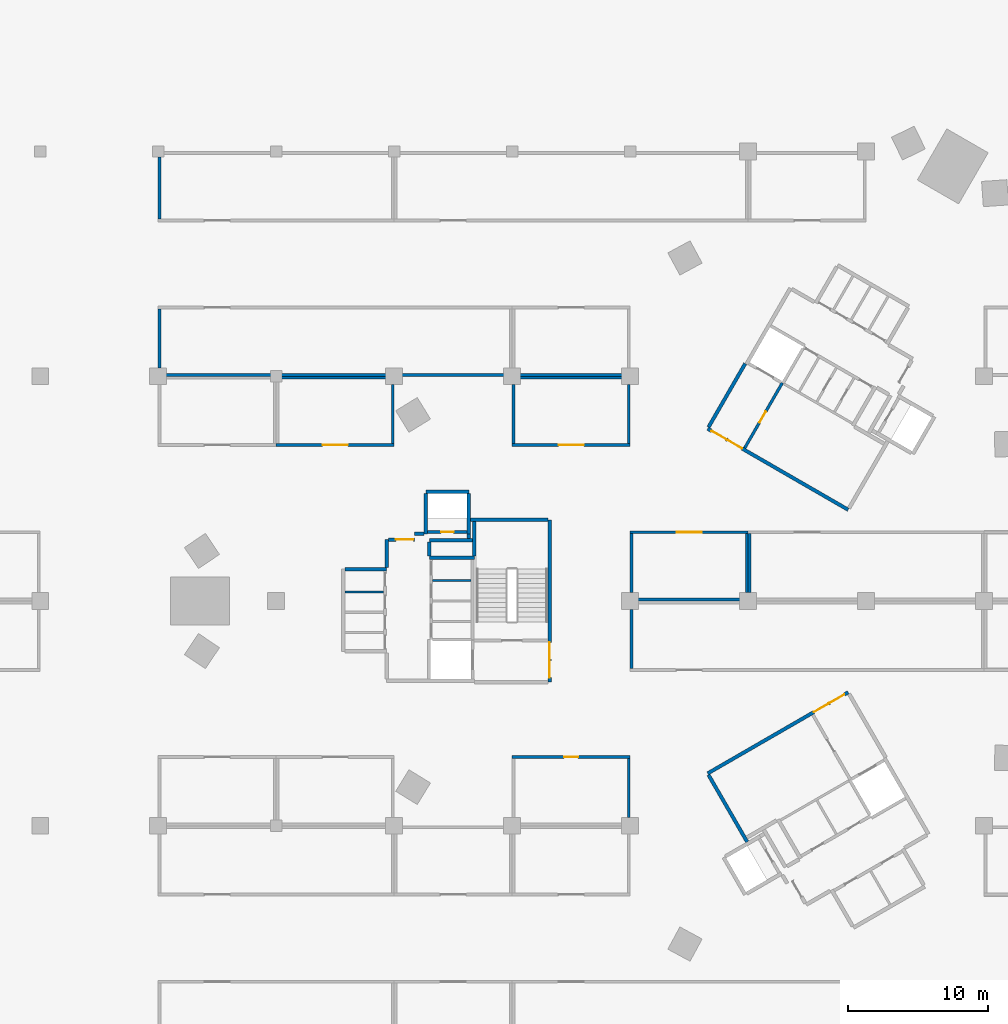
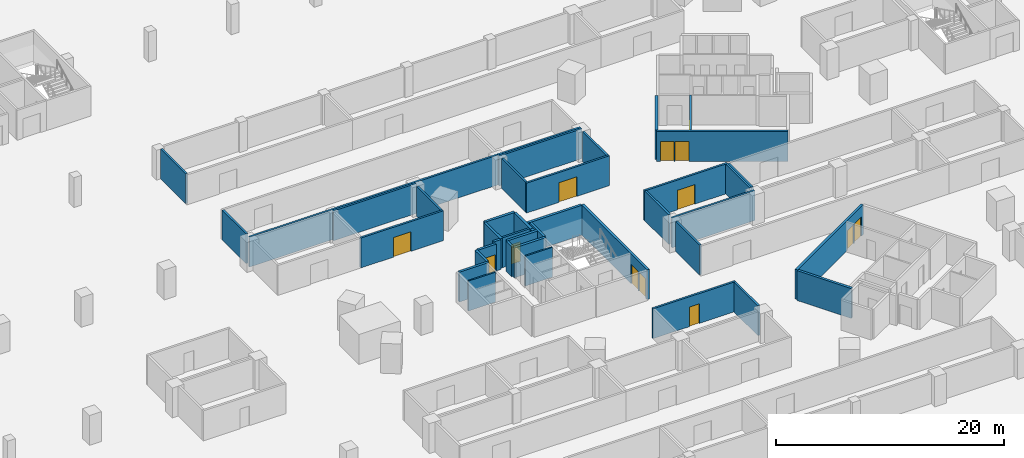
# One storey, part 10 of 37: 41 walls, 13 doors, 13 openings.
"""IFC4 building model written with IfcOpenShell, lengths in metres."""

from ifc_helpers import new_model, si_unit, direction, frame, frame_2d, origin, place, context, subcontext, project, spatial, rectangle, extrude, material, layer, layer_set, type_object, element, fill, save


model = new_model("IFC4")

# Units and contexts
model_context = context("Model", 3, precision=1e-05, world=origin(), true_north=direction((0.0, 1.0)))
body_context = subcontext(model_context, "Body", "Model", "MODEL_VIEW")
ifc_project = project(units=[si_unit("LENGTHUNIT", "METRE"), si_unit("AREAUNIT", "SQUARE_METRE"), si_unit("VOLUMEUNIT", "CUBIC_METRE"), si_unit("PLANEANGLEUNIT", "RADIAN"), si_unit("MASSUNIT", "GRAM", prefix="KILO")], contexts=[model_context])

# Site, building, storey
site_placement = place(None, origin())
site = spatial("IfcSite", under=ifc_project, at=site_placement, CompositionType="ELEMENT")
building_placement = place(site_placement, origin())
building = spatial("IfcBuilding", under=site, at=building_placement, Name="Tamra Quay Hotel Tower", CompositionType="ELEMENT")
storey_placement = place(building_placement, frame((0.0, 0.0, -7.199951171875)))
storey = spatial("IfcBuildingStorey", under=building, at=storey_placement, Name="B2", CompositionType="ELEMENT", Elevation=-7.199951171875)

# Wall, opening, door
ifc_material_1 = material(Name="Blockwork", Category="masonry")
ifc_layer_1 = layer(ifc_material_1, 0.199951171875)
ifc_layer_set_1 = layer_set([ifc_layer_1], Name="Car park room wall 200")
wall_type_1 = type_object("IfcWallType", Name="Car park room wall 200", PredefinedType="PARTITIONING", material=ifc_layer_set_1)
wall_1_placement = place(storey_placement, frame((-13.5, -11.10009765625, 0.0), z_axis=(0.0, 0.0, 1.0), x_axis=(1.0, 0.0, 0.0)))
wall_1 = element("IfcWall", 1, at=wall_1_placement, inside=storey, type_object=wall_type_1, Name="PW", PredefinedType="PARTITIONING", context=body_context, shape_type="SweptSolid", body=[
    extrude(rectangle(XDim=8.39990234375, YDim=0.199951171875, at=frame_2d((4.199951171875, 0.0))), origin(), (0.0, 0.0, 1.0), 3.199951171875),
])
opening_1_placement = place(wall_1_placement, frame((3.699951171875, 0.0, 0.0)))
opening_1 = element("IfcOpeningElement", 2, at=opening_1_placement, cuts=wall_1, Name="Opening PD1", PredefinedType="OPENING", context=body_context, shape_type="SweptSolid", body=[
    extrude(rectangle(XDim=1.0, YDim=2.10009765625, at=frame_2d((0.5, 1.050048828125))), frame((0.0, 0.10986328125, 0.0), z_axis=(0.0, -1.0, 0.0), x_axis=(1.0, 0.0, 0.0)), (0.0, 0.0, 1.0), 0.219970703125),
])
ifc_material_2 = material(Name="Car park door 1000 x 2100")
door_type_1 = type_object("IfcDoorType", Name="Car park door 1000 x 2100", OperationType="NOTDEFINED", PredefinedType="DOOR", material=ifc_material_2)
door_1_placement = place(opening_1_placement, origin())
door_1 = element("IfcDoor", 3, at=door_1_placement, inside=storey, type_object=door_type_1, Name="PD1", OperationType="SINGLE_SWING_LEFT", OverallHeight=2.10009765625, OverallWidth=1.0, PredefinedType="DOOR", context=body_context, shape_type="SweptSolid", body=[
    extrude(rectangle(XDim=1.0, YDim=2.10009765625, at=frame_2d((0.5, 1.050048828125))), frame((0.0, 0.02490234375, 0.0), z_axis=(0.0, -1.0, 0.0), x_axis=(1.0, 0.0, 0.0)), (0.0, 0.0, 1.0), 0.050048828125),
])
fill(opening_1, door_1)

# Walls
for number, where, z_axis, x_axis, name in (
    (4, (-5.199951171875, -15.39990234375, 0.0), (0.0, 0.0, 1.0), (0.0, 1.0, 0.0), "PW"),
    (5, (-5.0, -4.800048828125, 0.0), (0.0, 0.0, 1.0), (0.0, 1.0, 0.0), "PW"),
):
    element("IfcWall", number, at=place(storey_placement, frame(where, z_axis=z_axis, x_axis=x_axis)), inside=storey, type_object=wall_type_1, Name=name, PredefinedType="PARTITIONING", context=body_context, shape_type="SweptSolid", body=[
        extrude(rectangle(XDim=4.199951171875, YDim=0.199951171875, at=frame_2d((2.10009765625, 0.0))), origin(), (0.0, 0.0, 1.0), 3.199951171875),
    ])
wall_2_placement = place(storey_placement, frame((-5.10009765625, 0.10009765625, 0.0), z_axis=(0.0, 0.0, 1.0), x_axis=(1.0, 0.0, 0.0)))
element("IfcWall", 6, at=wall_2_placement, inside=storey, type_object=wall_type_1, Name="PW", PredefinedType="PARTITIONING", context=body_context, shape_type="SweptSolid", body=[
    extrude(rectangle(XDim=8.400146484375, YDim=0.199951171875, at=frame_2d((4.2001953125, 0.0))), origin(), (0.0, 0.0, 1.0), 3.199951171875),
])

# Wall, opening, door
wall_3_placement = place(storey_placement, frame((-5.10009765625, 4.89990234375, 0.0), z_axis=(0.0, 0.0, 1.0), x_axis=(1.0, 0.0, 0.0)))
wall_3 = element("IfcWall", 7, at=wall_3_placement, inside=storey, type_object=wall_type_1, Name="PW", PredefinedType="PARTITIONING", context=body_context, shape_type="SweptSolid", body=[
    extrude(rectangle(XDim=8.400146484375, YDim=0.199951171875, at=frame_2d((4.2001953125, 0.0))), origin(), (0.0, 0.0, 1.0), 3.199951171875),
])
opening_2_placement = place(wall_3_placement, frame((3.300048828125, 0.0, 0.0)))
opening_2 = element("IfcOpeningElement", 8, at=opening_2_placement, cuts=wall_3, Name="Opening PD2", PredefinedType="OPENING", context=body_context, shape_type="SweptSolid", body=[
    extrude(rectangle(XDim=1.800048828125, YDim=2.10009765625, at=frame_2d((0.89990234375, 1.050048828125))), frame((0.0, 0.10986328125, 0.0), z_axis=(0.0, -1.0, 0.0), x_axis=(1.0, 0.0, 0.0)), (0.0, 0.0, 1.0), 0.219970703125),
])
ifc_material_3 = material(Name="Plant door 1800 x 2100")
door_type_2 = type_object("IfcDoorType", Name="Plant door 1800 x 2100", OperationType="DOUBLE_DOOR_SINGLE_SWING", PredefinedType="DOOR", material=ifc_material_3)
door_2_placement = place(opening_2_placement, origin())
door_2 = element("IfcDoor", 9, at=door_2_placement, inside=storey, type_object=door_type_2, Name="PD2", OperationType="DOUBLE_DOOR_SINGLE_SWING", OverallHeight=2.10009765625, OverallWidth=1.800048828125, PredefinedType="DOOR", context=body_context, shape_type="SweptSolid", body=[
    extrude(rectangle(XDim=1.800048828125, YDim=2.10009765625, at=frame_2d((0.89990234375, 1.050048828125))), frame((0.0, 0.02490234375, 0.0), z_axis=(0.0, -1.0, 0.0), x_axis=(1.0, 0.0, 0.0)), (0.0, 0.0, 1.0), 0.050048828125),
])
fill(opening_2, door_2)

# Walls
for number, where, z_axis, x_axis, name in (
    (10, (-5.0, 0.60009765625, 0.0), (0.0, 0.0, 1.0), (0.0, 1.0, 0.0), "PW"),
    (11, (3.199951171875, 0.60009765625, 0.0), (0.0, 0.0, 1.0), (0.0, 1.0, 0.0), "PW"),
    (12, (3.39990234375, 0.60009765625, 0.0), (0.0, 0.0, 1.0), (0.0, 1.0, 0.0), "PW"),
):
    element("IfcWall", number, at=place(storey_placement, frame(where, z_axis=z_axis, x_axis=x_axis)), inside=storey, type_object=wall_type_1, Name=name, PredefinedType="PARTITIONING", context=body_context, shape_type="SweptSolid", body=[
        extrude(rectangle(XDim=4.199951171875, YDim=0.199951171875, at=frame_2d((2.10009765625, 0.0))), origin(), (0.0, 0.0, 1.0), 3.199951171875),
    ])

# Wall, opening, door
wall_4_placement = place(storey_placement, frame((-30.300048828125, 11.10009765625, 0.0), z_axis=(0.0, 0.0, 1.0), x_axis=(1.0, 0.0, 0.0)))
wall_4 = element("IfcWall", 13, at=wall_4_placement, inside=storey, type_object=wall_type_1, Name="PW", PredefinedType="PARTITIONING", context=body_context, shape_type="SweptSolid", body=[
    extrude(rectangle(XDim=8.400146484375, YDim=0.199951171875, at=frame_2d((4.2001953125, 0.0))), origin(), (0.0, 0.0, 1.0), 3.199951171875),
])
opening_3_placement = place(wall_4_placement, frame((3.300048828125, 0.0, 0.0)))
opening_3 = element("IfcOpeningElement", 14, at=opening_3_placement, cuts=wall_4, Name="Opening PD2", PredefinedType="OPENING", context=body_context, shape_type="SweptSolid", body=[
    extrude(rectangle(XDim=1.800048828125, YDim=2.10009765625, at=frame_2d((0.89990234375, 1.050048828125))), frame((0.0, 0.10986328125, 0.0), z_axis=(0.0, -1.0, 0.0), x_axis=(1.0, 0.0, 0.0)), (0.0, 0.0, 1.0), 0.219970703125),
])
door_3_placement = place(opening_3_placement, origin())
door_3 = element("IfcDoor", 15, at=door_3_placement, inside=storey, type_object=door_type_2, Name="PD2", OperationType="DOUBLE_DOOR_SINGLE_SWING", OverallHeight=2.10009765625, OverallWidth=1.800048828125, PredefinedType="DOOR", context=body_context, shape_type="SweptSolid", body=[
    extrude(rectangle(XDim=1.800048828125, YDim=2.10009765625, at=frame_2d((0.89990234375, 1.050048828125))), frame((0.0, 0.02490234375, 0.0), z_axis=(0.0, -1.0, 0.0), x_axis=(1.0, 0.0, 0.0)), (0.0, 0.0, 1.0), 0.050048828125),
])
fill(opening_3, door_3)

# Walls
wall_5_placement = place(storey_placement, frame((-30.300048828125, 15.89990234375, 0.0), z_axis=(0.0, 0.0, 1.0), x_axis=(1.0, 0.0, 0.0)))
element("IfcWall", 16, at=wall_5_placement, inside=storey, type_object=wall_type_1, Name="PW", PredefinedType="PARTITIONING", context=body_context, shape_type="SweptSolid", body=[
    extrude(rectangle(XDim=8.400146484375, YDim=0.199951171875, at=frame_2d((4.2001953125, 0.0))), origin(), (0.0, 0.0, 1.0), 3.199951171875),
])
wall_6_placement = place(storey_placement, frame((-22.0, 11.199951171875, 0.0), z_axis=(0.0, 0.0, 1.0), x_axis=(0.0, 1.0, 0.0)))
element("IfcWall", 17, at=wall_6_placement, inside=storey, type_object=wall_type_1, Name="PW", PredefinedType="PARTITIONING", context=body_context, shape_type="SweptSolid", body=[
    extrude(rectangle(XDim=4.199951171875, YDim=0.199951171875, at=frame_2d((2.10009765625, 0.0))), origin(), (0.0, 0.0, 1.0), 3.199951171875),
])

# Wall, opening, door
wall_7_placement = place(storey_placement, frame((-13.5, 11.10009765625, 0.0), z_axis=(0.0, 0.0, 1.0), x_axis=(1.0, 0.0, 0.0)))
wall_7 = element("IfcWall", 18, at=wall_7_placement, inside=storey, type_object=wall_type_1, Name="PW", PredefinedType="PARTITIONING", context=body_context, shape_type="SweptSolid", body=[
    extrude(rectangle(XDim=8.39990234375, YDim=0.199951171875, at=frame_2d((4.199951171875, 0.0))), origin(), (0.0, 0.0, 1.0), 3.199951171875),
])
opening_4_placement = place(wall_7_placement, frame((3.300048828125, 0.0, 0.0)))
opening_4 = element("IfcOpeningElement", 19, at=opening_4_placement, cuts=wall_7, Name="Opening PD2", PredefinedType="OPENING", context=body_context, shape_type="SweptSolid", body=[
    extrude(rectangle(XDim=1.800048828125, YDim=2.10009765625, at=frame_2d((0.89990234375, 1.050048828125))), frame((0.0, 0.10986328125, 0.0), z_axis=(0.0, -1.0, 0.0), x_axis=(1.0, 0.0, 0.0)), (0.0, 0.0, 1.0), 0.219970703125),
])
door_4_placement = place(opening_4_placement, origin())
door_4 = element("IfcDoor", 20, at=door_4_placement, inside=storey, type_object=door_type_2, Name="PD2", OperationType="DOUBLE_DOOR_SINGLE_SWING", OverallHeight=2.10009765625, OverallWidth=1.800048828125, PredefinedType="DOOR", context=body_context, shape_type="SweptSolid", body=[
    extrude(rectangle(XDim=1.800048828125, YDim=2.10009765625, at=frame_2d((0.89990234375, 1.050048828125))), frame((0.0, 0.02490234375, 0.0), z_axis=(0.0, -1.0, 0.0), x_axis=(1.0, 0.0, 0.0)), (0.0, 0.0, 1.0), 0.050048828125),
])
fill(opening_4, door_4)

# Walls
wall_8_placement = place(storey_placement, frame((-13.5, 15.89990234375, 0.0), z_axis=(0.0, 0.0, 1.0), x_axis=(1.0, 0.0, 0.0)))
element("IfcWall", 21, at=wall_8_placement, inside=storey, type_object=wall_type_1, Name="PW", PredefinedType="PARTITIONING", context=body_context, shape_type="SweptSolid", body=[
    extrude(rectangle(XDim=8.39990234375, YDim=0.199951171875, at=frame_2d((4.199951171875, 0.0))), origin(), (0.0, 0.0, 1.0), 3.199951171875),
])
for number, where, z_axis, x_axis, name in (
    (22, (-13.39990234375, 11.199951171875, 0.0), (0.0, 0.0, 1.0), (0.0, 1.0, 0.0), "PW"),
    (23, (-5.199951171875, 11.199951171875, 0.0), (0.0, 0.0, 1.0), (0.0, 1.0, 0.0), "PW"),
):
    element("IfcWall", number, at=place(storey_placement, frame(where, z_axis=z_axis, x_axis=x_axis)), inside=storey, type_object=wall_type_1, Name=name, PredefinedType="PARTITIONING", context=body_context, shape_type="SweptSolid", body=[
        extrude(rectangle(XDim=4.199951171875, YDim=0.199951171875, at=frame_2d((2.10009765625, 0.0))), origin(), (0.0, 0.0, 1.0), 3.199951171875),
    ])
wall_9_placement = place(storey_placement, frame((-38.699951171875, 16.10009765625, 0.0), z_axis=(0.0, 0.0, 1.0), x_axis=(1.0, 0.0, 0.0)))
element("IfcWall", 24, at=wall_9_placement, inside=storey, type_object=wall_type_1, Name="PW", PredefinedType="PARTITIONING", context=body_context, shape_type="SweptSolid", body=[
    extrude(rectangle(XDim=25.199951171875, YDim=0.199951171875, at=frame_2d((12.60009765625, 0.0))), origin(), (0.0, 0.0, 1.0), 3.199951171875),
])
wall_10_placement = place(storey_placement, frame((-38.60009765625, 16.60009765625, 0.0), z_axis=(0.0, 0.0, 1.0), x_axis=(0.0, 1.0, 0.0)))
element("IfcWall", 25, at=wall_10_placement, inside=storey, type_object=wall_type_1, Name="PW", PredefinedType="PARTITIONING", context=body_context, shape_type="SweptSolid", body=[
    extrude(rectangle(XDim=4.199951171875, YDim=0.199951171875, at=frame_2d((2.10009765625, 0.0))), origin(), (0.0, 0.0, 1.0), 3.199951171875),
])
wall_11_placement = place(storey_placement, frame((-13.5, 16.10009765625, 0.0), z_axis=(0.0, 0.0, 1.0), x_axis=(1.0, 0.0, 0.0)))
element("IfcWall", 26, at=wall_11_placement, inside=storey, type_object=wall_type_1, Name="PW", PredefinedType="PARTITIONING", context=body_context, shape_type="SweptSolid", body=[
    extrude(rectangle(XDim=8.39990234375, YDim=0.199951171875, at=frame_2d((4.199951171875, 0.0))), origin(), (0.0, 0.0, 1.0), 3.199951171875),
])
wall_12_placement = place(storey_placement, frame((-38.60009765625, 27.199951171875, 0.0), z_axis=(0.0, 0.0, 1.0), x_axis=(0.0, 1.0, 0.0)))
element("IfcWall", 27, at=wall_12_placement, inside=storey, type_object=wall_type_1, Name="PW", PredefinedType="PARTITIONING", context=body_context, shape_type="SweptSolid", body=[
    extrude(rectangle(XDim=4.400146484375, YDim=0.199951171875, at=frame_2d((2.2001953125, 0.0))), origin(), (0.0, 0.0, 1.0), 3.199951171875),
])

# Wall, opening, door
ifc_material_4 = material(Name="Concrete M70", Category="concrete")
ifc_layer_2 = layer(ifc_material_4, 0.199951171875)
ifc_layer_set_2 = layer_set([ifc_layer_2], Name="Concrete M70 core wall 200")
wall_type_2 = type_object("IfcWallType", Name="Concrete M70 core wall 200", PredefinedType="SHEAR", material=ifc_layer_set_2)
wall_13_placement = place(storey_placement, frame((-19.51123046875, 4.91015625, 0.0), z_axis=(0.0, 0.0, 1.0), x_axis=(1.0, 0.0, 0.0)))
wall_13 = element("IfcWall", 28, at=wall_13_placement, inside=storey, type_object=wall_type_2, Name="CW2", PredefinedType="SHEAR", context=body_context, shape_type="SweptSolid", body=[
    extrude(rectangle(XDim=2.7978515625, YDim=0.199951171875, at=frame_2d((1.39892578125, 0.0))), origin(), (0.0, 0.0, 1.0), 3.199951171875),
])
opening_5_placement = place(wall_13_placement, frame((0.948974609375, 0.0, 0.0)))
opening_5 = element("IfcOpeningElement", 29, at=opening_5_placement, cuts=wall_13, Name="Opening D1", PredefinedType="OPENING", context=body_context, shape_type="SweptSolid", body=[
    extrude(rectangle(XDim=0.89990234375, YDim=2.10009765625, at=frame_2d((0.449951171875, 1.050048828125))), frame((0.0, 0.10986328125, 0.0), z_axis=(0.0, -1.0, 0.0), x_axis=(1.0, 0.0, 0.0)), (0.0, 0.0, 1.0), 0.219970703125),
])
ifc_material_5 = material(Name="Core door D1 900x2100 LH")
door_type_3 = type_object("IfcDoorType", Name="Core door D1 900x2100 LH", OperationType="NOTDEFINED", PredefinedType="DOOR", material=ifc_material_5)
door_5_placement = place(opening_5_placement, origin())
door_5 = element("IfcDoor", 30, at=door_5_placement, inside=storey, type_object=door_type_3, Name="D1", OperationType="SINGLE_SWING_LEFT", OverallHeight=2.10009765625, OverallWidth=0.89990234375, PredefinedType="DOOR", context=body_context, shape_type="SweptSolid", body=[
    extrude(rectangle(XDim=0.89990234375, YDim=2.10009765625, at=frame_2d((0.449951171875, 1.050048828125))), frame((0.0, 0.02490234375, 0.0), z_axis=(0.0, -1.0, 0.0), x_axis=(1.0, 0.0, 0.0)), (0.0, 0.0, 1.0), 0.050048828125),
])
fill(opening_5, door_5)

wall_14_placement = place(storey_placement, frame((3.056640625, 10.89453125, 0.0), z_axis=(0.0, 0.0, 1.0), x_axis=(0.500012186204, 0.866018367962, 0.0)))
wall_14 = element("IfcWall", 31, at=wall_14_placement, inside=storey, type_object=wall_type_2, Name="CW2", PredefinedType="SHEAR", context=body_context, shape_type="SweptSolid", body=[
    extrude(rectangle(XDim=5.348876953125, YDim=0.199951171875, at=frame_2d((2.67431640625, 0.0))), origin(), (0.0, 0.0, 1.0), 3.199951171875),
])
opening_6_placement = place(wall_14_placement, frame((2.09912109375, 0.0, 0.0)))
opening_6 = element("IfcOpeningElement", 32, at=opening_6_placement, cuts=wall_14, Name="Opening D2", PredefinedType="OPENING", context=body_context, shape_type="SweptSolid", body=[
    extrude(rectangle(XDim=0.89990234375, YDim=2.10009765625, at=frame_2d((0.449951171875, 1.050048828125))), frame((0.0, 0.10986328125, 0.0), z_axis=(0.0, -1.0, 0.0), x_axis=(1.0, 0.0, 0.0)), (0.0, 0.0, 1.0), 0.219970703125),
])
ifc_material_6 = material(Name="Core door D2 900x2100 LH")
door_type_4 = type_object("IfcDoorType", Name="Core door D2 900x2100 LH", OperationType="NOTDEFINED", PredefinedType="DOOR", material=ifc_material_6)
door_6_placement = place(opening_6_placement, origin())
door_6 = element("IfcDoor", 33, at=door_6_placement, inside=storey, type_object=door_type_4, Name="D2", OperationType="SINGLE_SWING_LEFT", OverallHeight=2.10009765625, OverallWidth=0.89990234375, PredefinedType="DOOR", context=body_context, shape_type="SweptSolid", body=[
    extrude(rectangle(XDim=0.89990234375, YDim=2.10009765625, at=frame_2d((0.449951171875, 1.050048828125))), frame((0.0, 0.02490234375, 0.0), z_axis=(0.0, -1.0, 0.0), x_axis=(1.0, 0.0, 0.0)), (0.0, 0.0, 1.0), 0.050048828125),
])
fill(opening_6, door_6)

# Wall, openings, doors
ifc_layer_3 = layer(ifc_material_4, 0.25)
ifc_layer_set_3 = layer_set([ifc_layer_3], Name="Concrete M70 core wall 250")
wall_type_3 = type_object("IfcWallType", Name="Concrete M70 core wall 250", PredefinedType="SHEAR", material=ifc_layer_set_3)
wall_15_placement = place(storey_placement, frame((-10.83740234375, 5.77490234375, 0.0), z_axis=(0.0, 0.0, 1.0), x_axis=(0.0, -1.0, 0.0)))
wall_15 = element("IfcWall", 34, at=wall_15_placement, inside=storey, type_object=wall_type_3, Name="CW1", PredefinedType="SHEAR", context=body_context, shape_type="SweptSolid", body=[
    extrude(rectangle(XDim=11.5498046875, YDim=0.25, at=frame_2d((5.77490234375, 0.0))), origin(), (0.0, 0.0, 1.0), 3.199951171875),
])
opening_7_placement = place(wall_15_placement, frame((10.02490234375, 0.0, 0.0)))
opening_7 = element("IfcOpeningElement", 35, at=opening_7_placement, cuts=wall_15, Name="Opening FD1", PredefinedType="OPENING", context=body_context, shape_type="SweptSolid", body=[
    extrude(rectangle(XDim=1.199951171875, YDim=2.10009765625, at=frame_2d((0.60009765625, 1.050048828125))), frame((0.0, 0.135009765625, 0.0), z_axis=(0.0, -1.0, 0.0), x_axis=(1.0, 0.0, 0.0)), (0.0, 0.0, 1.0), 0.27001953125),
])
opening_8_placement = place(wall_15_placement, frame((8.72509765625, 0.0, 0.0)))
opening_8 = element("IfcOpeningElement", 36, at=opening_8_placement, cuts=wall_15, Name="Opening FD1", PredefinedType="OPENING", context=body_context, shape_type="SweptSolid", body=[
    extrude(rectangle(XDim=1.199951171875, YDim=2.10009765625, at=frame_2d((0.60009765625, 1.050048828125))), frame((0.0, 0.135009765625, 0.0), z_axis=(0.0, -1.0, 0.0), x_axis=(1.0, 0.0, 0.0)), (0.0, 0.0, 1.0), 0.27001953125),
])
ifc_material_7 = material(Name="Core door FD1 1200x2100 LH")
door_type_5 = type_object("IfcDoorType", Name="Core door FD1 1200x2100 LH", OperationType="NOTDEFINED", PredefinedType="DOOR", material=ifc_material_7)
door_7_placement = place(opening_7_placement, origin())
door_7 = element("IfcDoor", 37, at=door_7_placement, inside=storey, type_object=door_type_5, Name="FD1", OperationType="SINGLE_SWING_LEFT", OverallHeight=2.10009765625, OverallWidth=1.199951171875, PredefinedType="DOOR", context=body_context, shape_type="SweptSolid", body=[
    extrude(rectangle(XDim=1.199951171875, YDim=2.10009765625, at=frame_2d((0.60009765625, 1.050048828125))), frame((0.0, 0.02490234375, 0.0), z_axis=(0.0, -1.0, 0.0), x_axis=(1.0, 0.0, 0.0)), (0.0, 0.0, 1.0), 0.050048828125),
])
fill(opening_7, door_7)
ifc_material_8 = material(Name="Core door FD1 1200x2100 RH")
door_type_6 = type_object("IfcDoorType", Name="Core door FD1 1200x2100 RH", OperationType="NOTDEFINED", PredefinedType="DOOR", material=ifc_material_8)
door_8_placement = place(opening_8_placement, origin())
door_8 = element("IfcDoor", 38, at=door_8_placement, inside=storey, type_object=door_type_6, Name="FD1", OperationType="SINGLE_SWING_RIGHT", OverallHeight=2.10009765625, OverallWidth=1.199951171875, PredefinedType="DOOR", context=body_context, shape_type="SweptSolid", body=[
    extrude(rectangle(XDim=1.199951171875, YDim=2.10009765625, at=frame_2d((0.60009765625, 1.050048828125))), frame((0.0, 0.02490234375, 0.0), z_axis=(0.0, -1.0, 0.0), x_axis=(1.0, 0.0, 0.0)), (0.0, 0.0, 1.0), 0.050048828125),
])
fill(opening_8, door_8)

# Walls
wall_16_placement = place(storey_placement, frame((-16.47216796875, 5.77490234375, 0.0), z_axis=(0.0, 0.0, 1.0), x_axis=(1.0, 0.0, 0.0)))
element("IfcWall", 39, at=wall_16_placement, inside=storey, type_object=wall_type_3, Name="CW1", PredefinedType="SHEAR", context=body_context, shape_type="SweptSolid", body=[
    extrude(rectangle(XDim=5.509521484375, YDim=0.25, at=frame_2d((2.7548828125, 0.0))), origin(), (0.0, 0.0, 1.0), 3.199951171875),
])
wall_17_placement = place(storey_placement, frame((-19.38720703125, 3.074951171875, 0.0), z_axis=(0.0, 0.0, 1.0), x_axis=(1.0, 0.0, 0.0)))
element("IfcWall", 40, at=wall_17_placement, inside=storey, type_object=wall_type_3, Name="CW1", PredefinedType="SHEAR", context=body_context, shape_type="SweptSolid", body=[
    extrude(rectangle(XDim=3.199951171875, YDim=0.25, at=frame_2d((1.60009765625, 0.0))), origin(), (0.0, 0.0, 1.0), 3.199951171875),
])
wall_18_placement = place(storey_placement, frame((-25.411865234375, 2.27490234375, 0.0), z_axis=(0.0, 0.0, 1.0), x_axis=(1.0, 0.0, 0.0)))
element("IfcWall", 41, at=wall_18_placement, inside=storey, type_object=wall_type_3, Name="CW1", PredefinedType="SHEAR", context=body_context, shape_type="SweptSolid", body=[
    extrude(rectangle(XDim=2.974609375, YDim=0.25, at=frame_2d((1.4873046875, 0.0))), origin(), (0.0, 0.0, 1.0), 3.199951171875),
])
wall_19_placement = place(storey_placement, frame((-19.63720703125, 7.77490234375, 0.0), z_axis=(0.0, 0.0, 1.0), x_axis=(1.0, 0.0, 0.0)))
element("IfcWall", 42, at=wall_19_placement, inside=storey, type_object=wall_type_3, Name="CW1", PredefinedType="SHEAR", context=body_context, shape_type="SweptSolid", body=[
    extrude(rectangle(XDim=3.0498046875, YDim=0.25, at=frame_2d((1.52490234375, 0.0))), origin(), (0.0, 0.0, 1.0), 3.199951171875),
])
for number, where, z_axis, x_axis, name in (
    (43, (-16.58740234375, 7.649658203125, 0.0), (0.0, 0.0, 1.0), (0.0, -1.0, 0.0), "CW1"),
    (44, (-19.63720703125, 4.784912109375, 0.0), (0.0, 0.0, 1.0), (0.0, 1.0, 0.0), "CW1"),
):
    element("IfcWall", number, at=place(storey_placement, frame(where, z_axis=z_axis, x_axis=x_axis)), inside=storey, type_object=wall_type_3, Name=name, PredefinedType="SHEAR", context=body_context, shape_type="SweptSolid", body=[
        extrude(rectangle(XDim=2.86474609375, YDim=0.25, at=frame_2d((1.432373046875, 0.0))), origin(), (0.0, 0.0, 1.0), 3.199951171875),
    ])
wall_20_placement = place(storey_placement, frame((-16.30224609375, 4.31494140625, 0.0), z_axis=(0.0, 0.0, 1.0), x_axis=(-1.0, 0.0, 0.0)))
element("IfcWall", 45, at=wall_20_placement, inside=storey, type_object=wall_type_3, Name="CW1", PredefinedType="SHEAR", context=body_context, shape_type="SweptSolid", body=[
    extrude(rectangle(XDim=3.0849609375, YDim=0.25, at=frame_2d((1.54248046875, 0.0))), origin(), (0.0, 0.0, 1.0), 3.199951171875),
])
wall_21_placement = place(storey_placement, frame((-16.187255859375, 3.200439453125, 0.0), z_axis=(0.0, 0.0, 1.0), x_axis=(0.0, 1.0, 0.0)))
element("IfcWall", 46, at=wall_21_placement, inside=storey, type_object=wall_type_3, Name="CW1", PredefinedType="SHEAR", context=body_context, shape_type="SweptSolid", body=[
    extrude(rectangle(XDim=2.44921875, YDim=0.25, at=frame_2d((1.224609375, 0.0))), origin(), (0.0, 0.0, 1.0), 3.199951171875),
])
wall_22_placement = place(storey_placement, frame((-22.437255859375, 2.400390625, 0.0), z_axis=(0.0, 0.0, 1.0), x_axis=(0.0, 1.0, 0.0)))
element("IfcWall", 47, at=wall_22_placement, inside=storey, type_object=wall_type_3, Name="CW1", PredefinedType="SHEAR", context=body_context, shape_type="SweptSolid", body=[
    extrude(rectangle(XDim=1.974609375, YDim=0.25, at=frame_2d((0.9873046875, 0.0))), origin(), (0.0, 0.0, 1.0), 3.199951171875),
])

# Wall, opening, door
wall_23_placement = place(storey_placement, frame((-22.311767578125, 4.375, 0.0), z_axis=(0.0, 0.0, 1.0), x_axis=(1.0, 0.0, 0.0)))
wall_23 = element("IfcWall", 48, at=wall_23_placement, inside=storey, type_object=wall_type_3, Name="CW1", PredefinedType="SHEAR", context=body_context, shape_type="SweptSolid", body=[
    extrude(rectangle(XDim=1.864501953125, YDim=0.25, at=frame_2d((0.93212890625, 0.0))), origin(), (0.0, 0.0, 1.0), 3.199951171875),
])
opening_9_placement = place(wall_23_placement, frame((0.53466796875, 0.0, 0.0)))
opening_9 = element("IfcOpeningElement", 49, at=opening_9_placement, cuts=wall_23, Name="Opening FD3", PredefinedType="OPENING", context=body_context, shape_type="SweptSolid", body=[
    extrude(rectangle(XDim=1.25, YDim=2.10009765625, at=frame_2d((0.625, 1.050048828125))), frame((0.0, 0.135009765625, 0.0), z_axis=(0.0, -1.0, 0.0), x_axis=(1.0, 0.0, 0.0)), (0.0, 0.0, 1.0), 0.27001953125),
])
ifc_material_9 = material(Name="Core door FD3 1250x2100 LH")
door_type_7 = type_object("IfcDoorType", Name="Core door FD3 1250x2100 LH", OperationType="NOTDEFINED", PredefinedType="DOOR", material=ifc_material_9)
door_9_placement = place(opening_9_placement, origin())
door_9 = element("IfcDoor", 50, at=door_9_placement, inside=storey, type_object=door_type_7, Name="FD3", OperationType="SINGLE_SWING_LEFT", OverallHeight=2.10009765625, OverallWidth=1.25, PredefinedType="DOOR", context=body_context, shape_type="SweptSolid", body=[
    extrude(rectangle(XDim=1.25, YDim=2.10009765625, at=frame_2d((0.625, 1.050048828125))), frame((0.0, 0.02490234375, 0.0), z_axis=(0.0, -1.0, 0.0), x_axis=(1.0, 0.0, 0.0)), (0.0, 0.0, 1.0), 0.050048828125),
])
fill(opening_9, door_9)

# Walls
wall_24_placement = place(storey_placement, frame((-19.38720703125, 4.189697265625, 0.0), z_axis=(0.0, 0.0, 1.0), x_axis=(0.0, -1.0, 0.0)))
element("IfcWall", 51, at=wall_24_placement, inside=storey, type_object=wall_type_3, Name="CW1", PredefinedType="SHEAR", context=body_context, shape_type="SweptSolid", body=[
    extrude(rectangle(XDim=0.9892578125, YDim=0.25, at=frame_2d((0.49462890625, 0.0))), origin(), (0.0, 0.0, 1.0), 3.199951171875),
])
wall_25_placement = place(storey_placement, frame((-20.447265625, 4.784912109375, 0.0), z_axis=(0.0, 0.0, 1.0), x_axis=(1.0, 0.0, 0.0)))
element("IfcWall", 52, at=wall_25_placement, inside=storey, type_object=wall_type_3, Name="CW1", PredefinedType="SHEAR", context=body_context, shape_type="SweptSolid", body=[
    extrude(rectangle(XDim=0.6845703125, YDim=0.25, at=frame_2d((0.34228515625, 0.0))), origin(), (0.0, 0.0, 1.0), 3.199951171875),
])
wall_26_placement = place(storey_placement, frame((-16.577392578125, 4.784912109375, 0.0), z_axis=(0.0, 0.0, 1.0), x_axis=(0.0, -1.0, 0.0)))
element("IfcWall", 53, at=wall_26_placement, inside=storey, type_object=wall_type_3, Name="CW1", PredefinedType="SHEAR", context=body_context, shape_type="SweptSolid", body=[
    extrude(rectangle(XDim=0.344482421875, YDim=0.25, at=frame_2d((0.17236328125, 0.0))), origin(), (0.0, 0.0, 1.0), 3.199951171875),
])

# Wall, openings, doors
wall_27_placement = place(storey_placement, frame((10.419921875, 6.497802734375, 0.0), z_axis=(0.0, 0.0, 1.0), x_axis=(-0.866021906294, 0.500006057782, 0.0)))
wall_27 = element("IfcWall", 54, at=wall_27_placement, inside=storey, type_object=wall_type_3, Name="CW1", PredefinedType="SHEAR", context=body_context, shape_type="SweptSolid", body=[
    extrude(rectangle(XDim=11.550048828125, YDim=0.25, at=frame_2d((5.77490234375, 0.0))), origin(), (0.0, 0.0, 1.0), 3.199951171875),
])
opening_10_placement = place(wall_27_placement, frame((10.02490234375, 0.0, 0.0)))
opening_10 = element("IfcOpeningElement", 55, at=opening_10_placement, cuts=wall_27, Name="Opening FD1", PredefinedType="OPENING", context=body_context, shape_type="SweptSolid", body=[
    extrude(rectangle(XDim=1.199951171875, YDim=2.10009765625, at=frame_2d((0.60009765625, 1.050048828125))), frame((0.0, 0.135009765625, 0.0), z_axis=(0.0, -1.0, 0.0), x_axis=(1.0, 0.0, 0.0)), (0.0, 0.0, 1.0), 0.27001953125),
])
opening_11_placement = place(wall_27_placement, frame((8.724853515625, 0.0, 0.0)))
opening_11 = element("IfcOpeningElement", 56, at=opening_11_placement, cuts=wall_27, Name="Opening FD1", PredefinedType="OPENING", context=body_context, shape_type="SweptSolid", body=[
    extrude(rectangle(XDim=1.199951171875, YDim=2.10009765625, at=frame_2d((0.60009765625, 1.050048828125))), frame((0.0, 0.135009765625, 0.0), z_axis=(0.0, -1.0, 0.0), x_axis=(1.0, 0.0, 0.0)), (0.0, 0.0, 1.0), 0.27001953125),
])
door_10_placement = place(opening_10_placement, origin())
door_10 = element("IfcDoor", 57, at=door_10_placement, inside=storey, type_object=door_type_5, Name="FD1", OperationType="SINGLE_SWING_LEFT", OverallHeight=2.10009765625, OverallWidth=1.199951171875, PredefinedType="DOOR", context=body_context, shape_type="SweptSolid", body=[
    extrude(rectangle(XDim=1.199951171875, YDim=2.10009765625, at=frame_2d((0.60009765625, 1.050048828125))), frame((0.0, 0.02490234375, 0.0), z_axis=(0.0, -1.0, 0.0), x_axis=(1.0, 0.0, 0.0)), (0.0, 0.0, 1.0), 0.050048828125),
])
fill(opening_10, door_10)
door_11_placement = place(opening_11_placement, origin())
door_11 = element("IfcDoor", 58, at=door_11_placement, inside=storey, type_object=door_type_6, Name="FD1", OperationType="SINGLE_SWING_RIGHT", OverallHeight=2.10009765625, OverallWidth=1.199951171875, PredefinedType="DOOR", context=body_context, shape_type="SweptSolid", body=[
    extrude(rectangle(XDim=1.199951171875, YDim=2.10009765625, at=frame_2d((0.60009765625, 1.050048828125))), frame((0.0, 0.02490234375, 0.0), z_axis=(0.0, -1.0, 0.0), x_axis=(1.0, 0.0, 0.0)), (0.0, 0.0, 1.0), 0.050048828125),
])
fill(opening_11, door_11)

# Wall
wall_28_placement = place(storey_placement, frame((0.47998046875, 12.38134765625, 0.0), z_axis=(0.0, 0.0, 1.0), x_axis=(0.49999885962, 0.866026062182, 0.0)))
element("IfcWall", 59, at=wall_28_placement, inside=storey, type_object=wall_type_3, Name="CW1", PredefinedType="SHEAR", context=body_context, shape_type="SweptSolid", body=[
    extrude(rectangle(XDim=5.224609375, YDim=0.25, at=frame_2d((2.6123046875, 0.0))), origin(), (0.0, 0.0, 1.0), 3.199951171875),
])

# Wall, openings, doors
wall_29_placement = place(storey_placement, frame((0.417236328125, -12.27294921875, 0.0), z_axis=(0.0, 0.0, 1.0), x_axis=(0.866021906294, 0.500006057782, 0.0)))
wall_29 = element("IfcWall", 60, at=wall_29_placement, inside=storey, type_object=wall_type_3, Name="CW1", PredefinedType="SHEAR", context=body_context, shape_type="SweptSolid", body=[
    extrude(rectangle(XDim=11.550048828125, YDim=0.25, at=frame_2d((5.77490234375, 0.0))), origin(), (0.0, 0.0, 1.0), 3.199951171875),
])
opening_12_placement = place(wall_29_placement, frame((10.024658203125, 0.0, 0.0)))
opening_12 = element("IfcOpeningElement", 61, at=opening_12_placement, cuts=wall_29, Name="Opening FD1", PredefinedType="OPENING", context=body_context, shape_type="SweptSolid", body=[
    extrude(rectangle(XDim=1.199951171875, YDim=2.10009765625, at=frame_2d((0.60009765625, 1.050048828125))), frame((0.0, 0.135009765625, 0.0), z_axis=(0.0, -1.0, 0.0), x_axis=(1.0, 0.0, 0.0)), (0.0, 0.0, 1.0), 0.27001953125),
])
opening_13_placement = place(wall_29_placement, frame((8.724609375, 0.0, 0.0)))
opening_13 = element("IfcOpeningElement", 62, at=opening_13_placement, cuts=wall_29, Name="Opening FD1", PredefinedType="OPENING", context=body_context, shape_type="SweptSolid", body=[
    extrude(rectangle(XDim=1.199951171875, YDim=2.10009765625, at=frame_2d((0.60009765625, 1.050048828125))), frame((0.0, 0.135009765625, 0.0), z_axis=(0.0, -1.0, 0.0), x_axis=(1.0, 0.0, 0.0)), (0.0, 0.0, 1.0), 0.27001953125),
])
door_12_placement = place(opening_12_placement, origin())
door_12 = element("IfcDoor", 63, at=door_12_placement, inside=storey, type_object=door_type_5, Name="FD1", OperationType="SINGLE_SWING_LEFT", OverallHeight=2.10009765625, OverallWidth=1.199951171875, PredefinedType="DOOR", context=body_context, shape_type="SweptSolid", body=[
    extrude(rectangle(XDim=1.199951171875, YDim=2.10009765625, at=frame_2d((0.60009765625, 1.050048828125))), frame((0.0, 0.02490234375, 0.0), z_axis=(0.0, -1.0, 0.0), x_axis=(1.0, 0.0, 0.0)), (0.0, 0.0, 1.0), 0.050048828125),
])
fill(opening_12, door_12)
door_13_placement = place(opening_13_placement, origin())
door_13 = element("IfcDoor", 64, at=door_13_placement, inside=storey, type_object=door_type_6, Name="FD1", OperationType="SINGLE_SWING_RIGHT", OverallHeight=2.10009765625, OverallWidth=1.199951171875, PredefinedType="DOOR", context=body_context, shape_type="SweptSolid", body=[
    extrude(rectangle(XDim=1.199951171875, YDim=2.10009765625, at=frame_2d((0.60009765625, 1.050048828125))), frame((0.0, 0.02490234375, 0.0), z_axis=(0.0, -1.0, 0.0), x_axis=(1.0, 0.0, 0.0)), (0.0, 0.0, 1.0), 0.050048828125),
])
fill(opening_13, door_13)

# Walls
wall_30_placement = place(storey_placement, frame((3.23486328125, -17.15283203125, 0.0), z_axis=(0.0, 0.0, 1.0), x_axis=(-0.500008851346, 0.866020293397, 0.0)))
element("IfcWall", 65, at=wall_30_placement, inside=storey, type_object=wall_type_3, Name="CW1", PredefinedType="SHEAR", context=body_context, shape_type="SweptSolid", body=[
    extrude(rectangle(XDim=5.509765625, YDim=0.25, at=frame_2d((2.7548828125, 0.0))), origin(), (0.0, 0.0, 1.0), 3.199951171875),
])
ifc_layer_4 = layer(ifc_material_1, 0.14990234375)
ifc_layer_set_4 = layer_set([ifc_layer_4], Name="Core partition block 150")
wall_type_4 = type_object("IfcWallType", Name="Core partition block 150", PredefinedType="PARTITIONING", material=ifc_layer_set_4)
for number, where, z_axis, x_axis, name in (
    (66, (-22.6630859375, 0.64990234375, 0.0), (0.0, 0.0, 1.0), (-1.0, 0.0, 0.0), "CP1"),
    (67, (-16.4130859375, 1.449951171875, 0.0), (0.0, 0.0, 1.0), (-1.0, 0.0, 0.0), "CP1"),
):
    element("IfcWall", number, at=place(storey_placement, frame(where, z_axis=z_axis, x_axis=x_axis)), inside=storey, type_object=wall_type_4, Name=name, PredefinedType="PARTITIONING", context=body_context, shape_type="SweptSolid", body=[
        extrude(rectangle(XDim=2.74853515625, YDim=0.14990234375, at=frame_2d((1.374267578125, 0.0))), origin(), (0.0, 0.0, 1.0), 3.199951171875),
    ])

save(model, "model.ifc")
